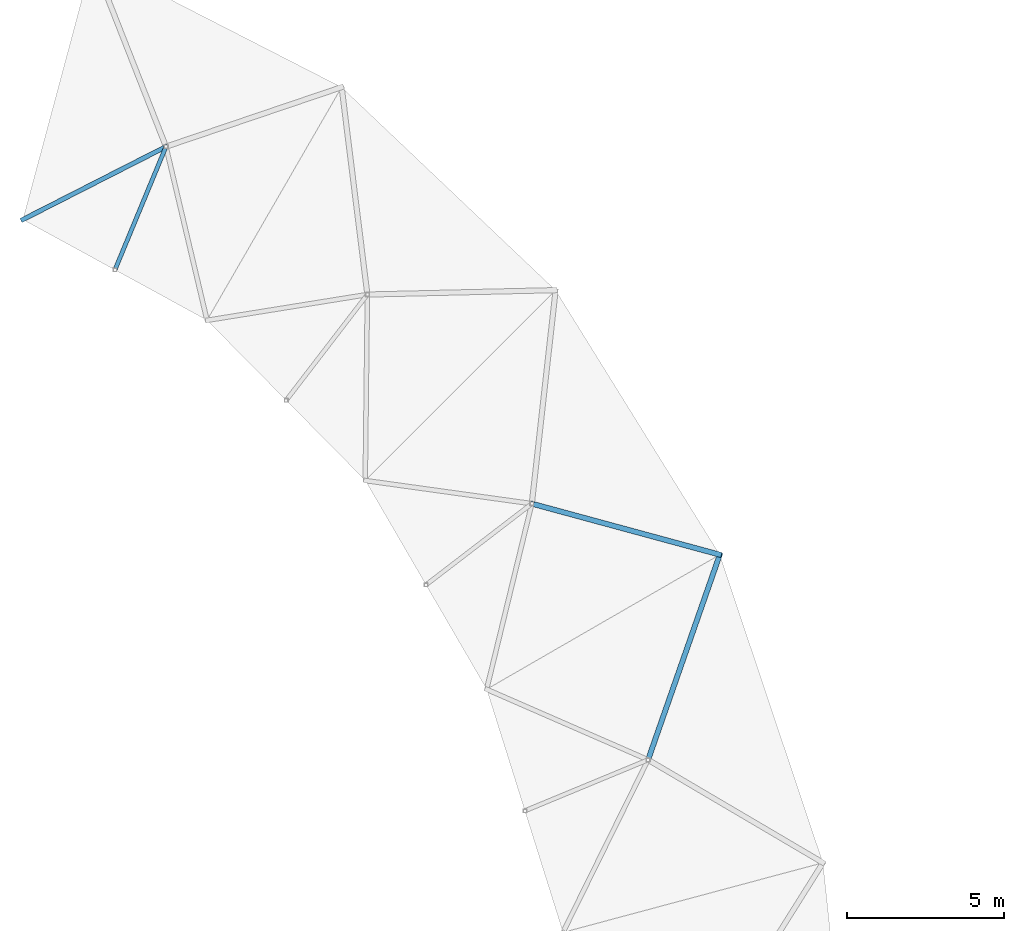
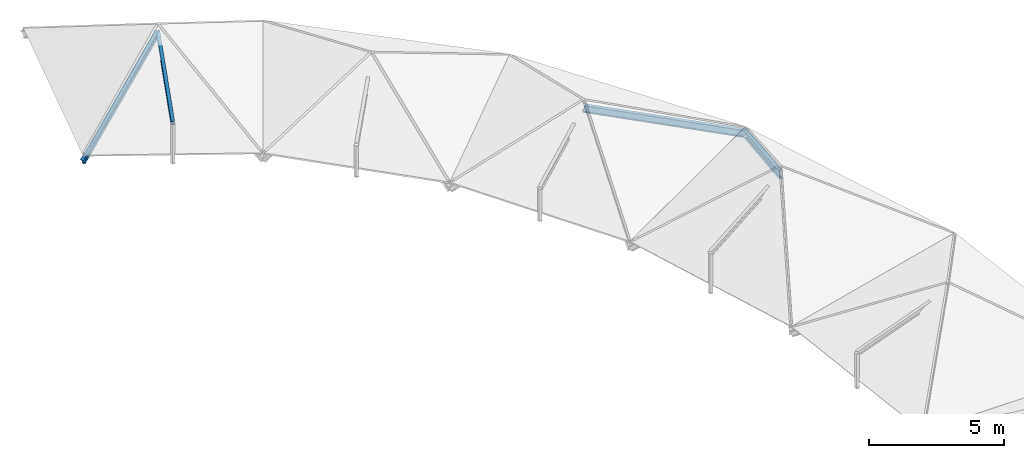
# One storey, part 17 of 28: 4 members.
"""IFC4 building model written with IfcOpenShell, lengths in metres."""

from ifc_helpers import new_model, si_unit, direction, frame, origin, origin_2d, place, context, subcontext, project, spatial, i_section, extrude, material, material_profile, profile_set, type_object, element, save


model = new_model("IFC4")

# Units and contexts
model_context = context("Model", 3, precision=1e-05, world=origin(), true_north=direction((0.0, 1.0)))
body_context = subcontext(model_context, "Body", "Model", "MODEL_VIEW")
ifc_project = project(units=[si_unit("LENGTHUNIT", "METRE"), si_unit("AREAUNIT", "SQUARE_METRE"), si_unit("VOLUMEUNIT", "CUBIC_METRE"), si_unit("PLANEANGLEUNIT", "RADIAN"), si_unit("MASSUNIT", "GRAM", prefix="KILO")], contexts=[model_context])

# Site, building, storey
site_placement = place(None, origin())
site = spatial("IfcSite", under=ifc_project, at=site_placement, CompositionType="ELEMENT")
building_placement = place(site_placement, origin())
building = spatial("IfcBuilding", under=site, at=building_placement, Name="Karori Crest Natural Sciences Institute", CompositionType="ELEMENT")
storey_placement = place(building_placement, frame((0.0, 0.0, 34.300048828125)))
storey = spatial("IfcBuildingStorey", under=building, at=storey_placement, Name="L08", CompositionType="ELEMENT", Elevation=34.300048828125)

# Members
ifc_material = material(Name="Structural steel AS/NZS 3679.1 Grade 350", Category="steel")
ifc_material_profile_1 = material_profile(ifc_material, i_section(OverallWidth=0.166015625, OverallDepth=0.306884765625, WebThickness=0.006591796875, FlangeThickness=0.01171875, FilletRadius=0.010986328125, at=origin_2d()), Name="310UB46.2")
ifc_profile_set_1 = profile_set([ifc_material_profile_1], Name="Structural steel AS/NZS 3679.1 Grade 350")
member_type_1 = type_object("IfcMemberType", Name="MT-06", PredefinedType="RAFTER", material=ifc_profile_set_1)
member_1_placement = place(storey_placement, frame((94.978759765625, 70.300048828125, -0.260009765625), z_axis=(-0.304276114984, -0.870435329039, 0.386986283752), x_axis=(0.943985515693, -0.329986887864, 0.0)))
element("IfcMember", 1, at=member_1_placement, inside=storey, type_object=member_type_1, Name="Member M-0039", PredefinedType="RAFTER", context=body_context, shape_type="SweptSolid", body=[
    extrude(i_section(OverallWidth=0.166015625, OverallDepth=0.306884765625, WebThickness=0.006591796875, FlangeThickness=0.01171875, FilletRadius=0.010986328125, at=origin_2d()), origin(), (0.0, 0.0, 1.0), 7.527099609375),
])
member_2_placement = place(storey_placement, frame((94.978759765625, 70.300048828125, -0.260009765625), z_axis=(-0.907185288281, 0.246217036646, 0.341162752351), x_axis=(-0.26193183546, -0.965086376224, 0.0)))
element("IfcMember", 2, at=member_2_placement, inside=storey, type_object=member_type_1, Name="Member M-0045", PredefinedType="RAFTER", context=body_context, shape_type="SweptSolid", body=[
    extrude(i_section(OverallWidth=0.166015625, OverallDepth=0.306884765625, WebThickness=0.006591796875, FlangeThickness=0.01171875, FilletRadius=0.010986328125, at=origin_2d()), origin(), (0.0, 0.0, 1.0), 6.61865234375),
])
ifc_material_profile_2 = material_profile(ifc_material, i_section(OverallWidth=0.14599609375, OverallDepth=0.256103515625, WebThickness=0.00634765625, FlangeThickness=0.010986328125, FilletRadius=0.009033203125, at=origin_2d()), Name="250UB37.3")
ifc_profile_set_2 = profile_set([ifc_material_profile_2], Name="Structural steel AS/NZS 3679.1 Grade 350")
member_type_2 = type_object("IfcMemberType", Name="MT-07", PredefinedType="RAFTER", material=ifc_profile_set_2)
member_3_placement = place(storey_placement, frame((72.715087890625, 81.002685546875, -0.260009765625), z_axis=(0.776821534267, 0.395770565497, 0.489810129933), x_axis=(-0.453954279176, 0.89102497856, 0.0)))
element("IfcMember", 3, at=member_3_placement, inside=storey, type_object=member_type_2, Name="Member M-0062", PredefinedType="RAFTER", context=body_context, shape_type="SweptSolid", body=[
    extrude(i_section(OverallWidth=0.14599609375, OverallDepth=0.256103515625, WebThickness=0.00634765625, FlangeThickness=0.010986328125, FilletRadius=0.009033203125, at=origin_2d()), origin(), (0.0, 0.0, 1.0), 5.88818359375),
])
ifc_material_profile_3 = material_profile(ifc_material, i_section(OverallWidth=0.133056640625, OverallDepth=0.202880859375, WebThickness=0.005859375, FlangeThickness=0.0078125, FilletRadius=0.009033203125, at=origin_2d()), Name="200UB25.4")
ifc_profile_set_3 = profile_set([ifc_material_profile_3], Name="Structural steel AS/NZS 3679.1 Grade 350")
member_type_3 = type_object("IfcMemberType", Name="MT-09", PredefinedType="PURLIN", material=ifc_profile_set_3)
member_4_placement = place(storey_placement, frame((75.65771484375, 79.394287109375, 1.445068359375), z_axis=(0.368815666355, 0.890467396784, 0.266538589169), x_axis=(-0.923889805527, 0.38265863017, 0.0)))
element("IfcMember", 4, at=member_4_placement, inside=storey, type_object=member_type_3, Name="Member M-0063", PredefinedType="PURLIN", context=body_context, shape_type="SweptSolid", body=[
    extrude(i_section(OverallWidth=0.133056640625, OverallDepth=0.202880859375, WebThickness=0.005859375, FlangeThickness=0.0078125, FilletRadius=0.009033203125, at=origin_2d()), origin(), (0.0, 0.0, 1.0), 4.423095703125),
])

save(model, "model.ifc")
